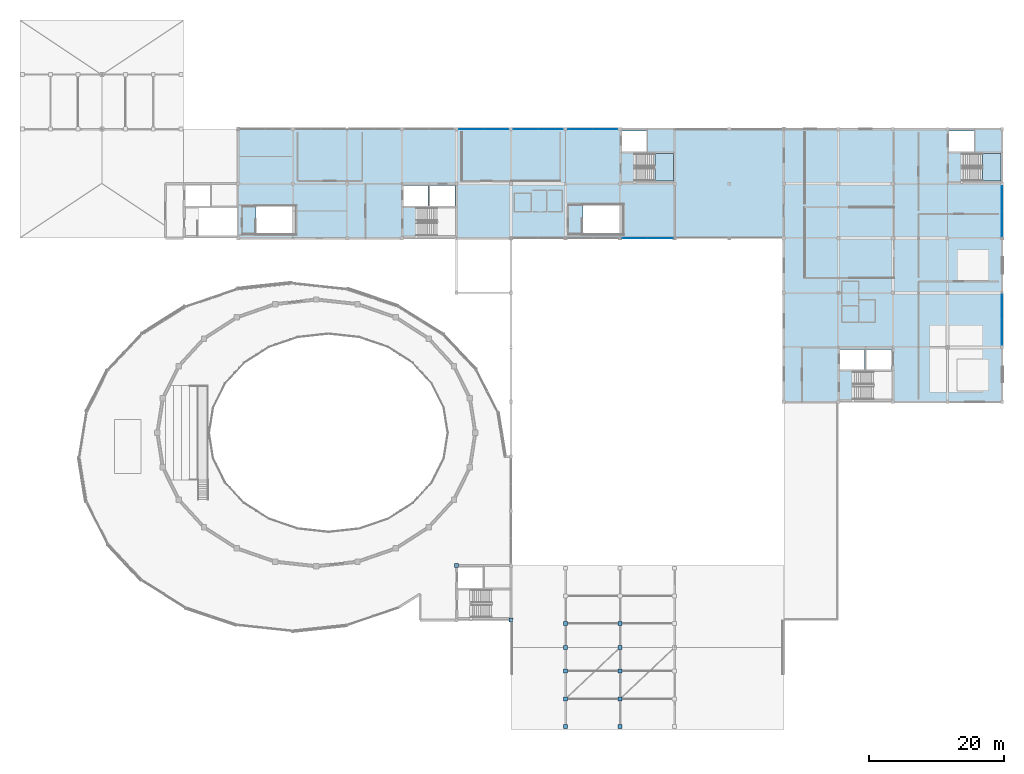
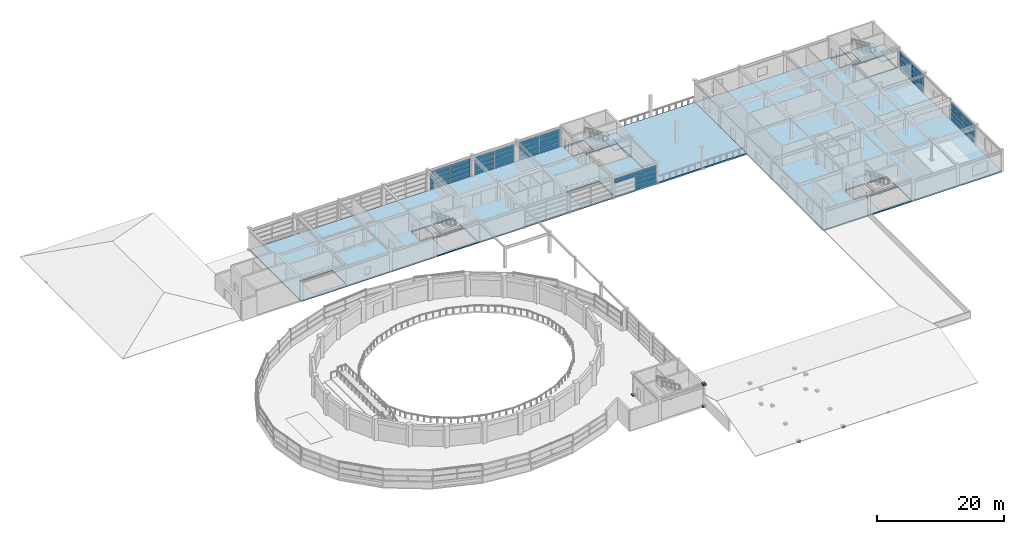
# One storey, part 38 of 54: 60 plates, 5 slabs, 8 elements without a shape of their own.
"""IFC4 building model written with IfcOpenShell, lengths in metres."""

from ifc_helpers import new_model, si_unit, direction, frame, origin, origin_2d, place, context, subcontext, project, spatial, polyline, rectangle, outline, extrude, material, layer, layer_set, type_object, element, aggregate, save


model = new_model("IFC4")

# Units and contexts
model_context = context("Model", 3, precision=1e-05, world=origin(), true_north=direction((0.0, 1.0)))
body_context = subcontext(model_context, "Body", "Model", "MODEL_VIEW")
ifc_project = project(units=[si_unit("LENGTHUNIT", "METRE"), si_unit("AREAUNIT", "SQUARE_METRE"), si_unit("VOLUMEUNIT", "CUBIC_METRE"), si_unit("PLANEANGLEUNIT", "RADIAN"), si_unit("MASSUNIT", "GRAM", prefix="KILO")], contexts=[model_context])

# Site, building, storey
site_placement = place(None, origin())
site = spatial("IfcSite", under=ifc_project, at=site_placement, CompositionType="ELEMENT")
building_placement = place(site_placement, origin())
building = spatial("IfcBuilding", under=site, at=building_placement, Name="Parian Resonance Hall", CompositionType="ELEMENT")
storey_placement = place(building_placement, frame((0.0, 0.0, 15.0)))
storey = spatial("IfcBuildingStorey", under=building, at=storey_placement, Name="L03", CompositionType="ELEMENT", Elevation=15.0)

# Curtain wall, plates
ifc_material_1 = material(Name="Bronze-anodised aluminium frame", Category="aluminium")
curtain_wall_type_1 = type_object("IfcCurtainWallType", Name="CW-SYS-05", PredefinedType="NOTDEFINED", material=ifc_material_1)
curtain_wall_1_placement = place(storey_placement, origin())
curtain_wall_1 = element("IfcCurtainWall", 1, at=curtain_wall_1_placement, inside=storey, type_object=curtain_wall_type_1, Name="Curtain wall CW-L03-093", PredefinedType="NOTDEFINED")
ifc_material_2 = material(Name="Acoustic laminated double glazing", Category="glass")
ifc_layer_1 = layer(ifc_material_2, 0.02197265625)
ifc_layer_set_1 = layer_set([ifc_layer_1], Name="Acoustic laminated double glazing")
plate_type_1 = type_object("IfcPlateType", Name="CWP-IGU22", PredefinedType="CURTAIN_PANEL", material=ifc_layer_set_1)
plate_1_placement = place(storey_placement, frame((67.00634765625, 89.10009765625, 0.05712890625), z_axis=(0.0, 0.0, 1.0), x_axis=(1.0, 0.0, 0.0)))
plate_1 = element("IfcPlate", 2, at=plate_1_placement, type_object=plate_type_1, Name="CW-05 panel 1.1", PredefinedType="CURTAIN_PANEL", context=body_context, shape_type="SweptSolid", body=[
    extrude(rectangle(XDim=3.62255859375, YDim=0.02197265625, at=origin_2d()), origin(), (0.0, 0.0, 1.0), 0.794677734375),
])
plate_2_placement = place(storey_placement, frame((67.00634765625, 89.10009765625, 0.916748046875), z_axis=(0.0, 0.0, 1.0), x_axis=(1.0, 0.0, 0.0)))
plate_2 = element("IfcPlate", 3, at=plate_2_placement, type_object=plate_type_1, Name="CW-05 panel 1.2", PredefinedType="CURTAIN_PANEL", context=body_context, shape_type="SweptSolid", body=[
    extrude(rectangle(XDim=3.62255859375, YDim=0.02197265625, at=origin_2d()), origin(), (0.0, 0.0, 1.0), 0.8193359375),
])
plate_3_placement = place(storey_placement, frame((67.00634765625, 89.10009765625, 1.80126953125), z_axis=(0.0, 0.0, 1.0), x_axis=(1.0, 0.0, 0.0)))
plate_3 = element("IfcPlate", 4, at=plate_3_placement, type_object=plate_type_1, Name="CW-05 panel 1.3", PredefinedType="CURTAIN_PANEL", context=body_context, shape_type="SweptSolid", body=[
    extrude(rectangle(XDim=3.62255859375, YDim=0.02197265625, at=origin_2d()), origin(), (0.0, 0.0, 1.0), 0.819091796875),
])
plate_4_placement = place(storey_placement, frame((67.00634765625, 89.10009765625, 2.68505859375), z_axis=(0.0, 0.0, 1.0), x_axis=(1.0, 0.0, 0.0)))
plate_4 = element("IfcPlate", 5, at=plate_4_placement, type_object=plate_type_1, Name="CW-05 panel 1.4", PredefinedType="CURTAIN_PANEL", context=body_context, shape_type="SweptSolid", body=[
    extrude(rectangle(XDim=3.62255859375, YDim=0.02197265625, at=origin_2d()), origin(), (0.0, 0.0, 1.0), 0.796875),
])
plate_5_placement = place(storey_placement, frame((70.69384765625, 89.10009765625, 0.05712890625), z_axis=(0.0, 0.0, 1.0), x_axis=(1.0, 0.0, 0.0)))
plate_5 = element("IfcPlate", 6, at=plate_5_placement, type_object=plate_type_1, Name="CW-05 panel 2.1", PredefinedType="CURTAIN_PANEL", context=body_context, shape_type="SweptSolid", body=[
    extrude(rectangle(XDim=3.62255859375, YDim=0.02197265625, at=origin_2d()), origin(), (0.0, 0.0, 1.0), 0.794677734375),
])
plate_6_placement = place(storey_placement, frame((70.69384765625, 89.10009765625, 0.916748046875), z_axis=(0.0, 0.0, 1.0), x_axis=(1.0, 0.0, 0.0)))
plate_6 = element("IfcPlate", 7, at=plate_6_placement, type_object=plate_type_1, Name="CW-05 panel 2.2", PredefinedType="CURTAIN_PANEL", context=body_context, shape_type="SweptSolid", body=[
    extrude(rectangle(XDim=3.62255859375, YDim=0.02197265625, at=origin_2d()), origin(), (0.0, 0.0, 1.0), 0.8193359375),
])
plate_7_placement = place(storey_placement, frame((70.69384765625, 89.10009765625, 1.80126953125), z_axis=(0.0, 0.0, 1.0), x_axis=(1.0, 0.0, 0.0)))
plate_7 = element("IfcPlate", 8, at=plate_7_placement, type_object=plate_type_1, Name="CW-05 panel 2.3", PredefinedType="CURTAIN_PANEL", context=body_context, shape_type="SweptSolid", body=[
    extrude(rectangle(XDim=3.62255859375, YDim=0.02197265625, at=origin_2d()), origin(), (0.0, 0.0, 1.0), 0.819091796875),
])
plate_8_placement = place(storey_placement, frame((70.69384765625, 89.10009765625, 2.68505859375), z_axis=(0.0, 0.0, 1.0), x_axis=(1.0, 0.0, 0.0)))
plate_8 = element("IfcPlate", 9, at=plate_8_placement, type_object=plate_type_1, Name="CW-05 panel 2.4", PredefinedType="CURTAIN_PANEL", context=body_context, shape_type="SweptSolid", body=[
    extrude(rectangle(XDim=3.62255859375, YDim=0.02197265625, at=origin_2d()), origin(), (0.0, 0.0, 1.0), 0.796875),
])
aggregate(curtain_wall_1, [plate_1, plate_2, plate_3, plate_4, plate_5, plate_6, plate_7, plate_8])

ifc_material_3 = material(Name="Bronze-anodised aluminium frame", Category="aluminium")
curtain_wall_type_2 = type_object("IfcCurtainWallType", Name="CW-SYS-06", PredefinedType="NOTDEFINED", material=ifc_material_3)
curtain_wall_2_placement = place(storey_placement, origin())
curtain_wall_2 = element("IfcCurtainWall", 10, at=curtain_wall_2_placement, inside=storey, type_object=curtain_wall_type_2, Name="Curtain wall CW-L03-096", PredefinedType="NOTDEFINED")
plate_9_placement = place(storey_placement, frame((75.108642578125, 89.10009765625, 0.067138671875), z_axis=(0.0, 0.0, 1.0), x_axis=(1.0, 0.0, 0.0)))
plate_9 = element("IfcPlate", 11, at=plate_9_placement, type_object=plate_type_1, Name="CW-06 panel 1.1", PredefinedType="CURTAIN_PANEL", context=body_context, shape_type="SweptSolid", body=[
    extrude(rectangle(XDim=3.607421875, YDim=0.02197265625, at=origin_2d()), origin(), (0.0, 0.0, 1.0), 0.7666015625),
])
plate_10_placement = place(storey_placement, frame((75.108642578125, 89.10009765625, 0.90869140625), z_axis=(0.0, 0.0, 1.0), x_axis=(1.0, 0.0, 0.0)))
plate_10 = element("IfcPlate", 12, at=plate_10_placement, type_object=plate_type_1, Name="CW-06 panel 1.2", PredefinedType="CURTAIN_PANEL", context=body_context, shape_type="SweptSolid", body=[
    extrude(rectangle(XDim=3.607421875, YDim=0.02197265625, at=origin_2d()), origin(), (0.0, 0.0, 1.0), 0.79638671875),
])
plate_11_placement = place(storey_placement, frame((75.108642578125, 89.10009765625, 1.77978515625), z_axis=(0.0, 0.0, 1.0), x_axis=(1.0, 0.0, 0.0)))
plate_11 = element("IfcPlate", 13, at=plate_11_placement, type_object=plate_type_1, Name="CW-06 panel 1.3", PredefinedType="CURTAIN_PANEL", context=body_context, shape_type="SweptSolid", body=[
    extrude(rectangle(XDim=3.607421875, YDim=0.02197265625, at=origin_2d()), origin(), (0.0, 0.0, 1.0), 0.796142578125),
])
plate_12_placement = place(storey_placement, frame((75.108642578125, 89.10009765625, 2.6513671875), z_axis=(0.0, 0.0, 1.0), x_axis=(1.0, 0.0, 0.0)))
plate_12 = element("IfcPlate", 14, at=plate_12_placement, type_object=plate_type_1, Name="CW-06 panel 1.4", PredefinedType="CURTAIN_PANEL", context=body_context, shape_type="SweptSolid", body=[
    extrude(rectangle(XDim=3.607421875, YDim=0.02197265625, at=origin_2d()), origin(), (0.0, 0.0, 1.0), 0.768798828125),
])
plate_13_placement = place(storey_placement, frame((78.791259765625, 89.10009765625, 0.067138671875), z_axis=(0.0, 0.0, 1.0), x_axis=(1.0, 0.0, 0.0)))
plate_13 = element("IfcPlate", 15, at=plate_13_placement, type_object=plate_type_1, Name="CW-06 panel 2.1", PredefinedType="CURTAIN_PANEL", context=body_context, shape_type="SweptSolid", body=[
    extrude(rectangle(XDim=3.607421875, YDim=0.02197265625, at=origin_2d()), origin(), (0.0, 0.0, 1.0), 0.7666015625),
])
plate_14_placement = place(storey_placement, frame((78.791259765625, 89.10009765625, 0.90869140625), z_axis=(0.0, 0.0, 1.0), x_axis=(1.0, 0.0, 0.0)))
plate_14 = element("IfcPlate", 16, at=plate_14_placement, type_object=plate_type_1, Name="CW-06 panel 2.2", PredefinedType="CURTAIN_PANEL", context=body_context, shape_type="SweptSolid", body=[
    extrude(rectangle(XDim=3.607421875, YDim=0.02197265625, at=origin_2d()), origin(), (0.0, 0.0, 1.0), 0.79638671875),
])
plate_15_placement = place(storey_placement, frame((78.791259765625, 89.10009765625, 1.77978515625), z_axis=(0.0, 0.0, 1.0), x_axis=(1.0, 0.0, 0.0)))
plate_15 = element("IfcPlate", 17, at=plate_15_placement, type_object=plate_type_1, Name="CW-06 panel 2.3", PredefinedType="CURTAIN_PANEL", context=body_context, shape_type="SweptSolid", body=[
    extrude(rectangle(XDim=3.607421875, YDim=0.02197265625, at=origin_2d()), origin(), (0.0, 0.0, 1.0), 0.796142578125),
])
plate_16_placement = place(storey_placement, frame((78.791259765625, 89.10009765625, 2.6513671875), z_axis=(0.0, 0.0, 1.0), x_axis=(1.0, 0.0, 0.0)))
plate_16 = element("IfcPlate", 18, at=plate_16_placement, type_object=plate_type_1, Name="CW-06 panel 2.4", PredefinedType="CURTAIN_PANEL", context=body_context, shape_type="SweptSolid", body=[
    extrude(rectangle(XDim=3.607421875, YDim=0.02197265625, at=origin_2d()), origin(), (0.0, 0.0, 1.0), 0.768798828125),
])
aggregate(curtain_wall_2, [plate_9, plate_10, plate_11, plate_12, plate_13, plate_14, plate_15, plate_16])

ifc_material_4 = material(Name="Bronze-anodised aluminium frame", Category="aluminium")
curtain_wall_type_3 = type_object("IfcCurtainWallType", Name="CW-SYS-02", PredefinedType="NOTDEFINED", material=ifc_material_4)
curtain_wall_3_placement = place(storey_placement, origin())
curtain_wall_3 = element("IfcCurtainWall", 19, at=curtain_wall_3_placement, inside=storey, type_object=curtain_wall_type_3, Name="Curtain wall CW-L03-120", PredefinedType="NOTDEFINED")
plate_17_placement = place(storey_placement, frame((95.0537109375, 72.89990234375, 0.067138671875), z_axis=(0.0, 0.0, 1.0), x_axis=(-1.0, 0.0, 0.0)))
plate_17 = element("IfcPlate", 20, at=plate_17_placement, type_object=plate_type_1, Name="CW-02 panel 1.1", PredefinedType="CURTAIN_PANEL", context=body_context, shape_type="SweptSolid", body=[
    extrude(rectangle(XDim=3.732421875, YDim=0.02197265625, at=origin_2d()), origin(), (0.0, 0.0, 1.0), 0.7666015625),
])
plate_18_placement = place(storey_placement, frame((95.0537109375, 72.89990234375, 0.90869140625), z_axis=(0.0, 0.0, 1.0), x_axis=(-1.0, 0.0, 0.0)))
plate_18 = element("IfcPlate", 21, at=plate_18_placement, type_object=plate_type_1, Name="CW-02 panel 1.2", PredefinedType="CURTAIN_PANEL", context=body_context, shape_type="SweptSolid", body=[
    extrude(rectangle(XDim=3.732421875, YDim=0.02197265625, at=origin_2d()), origin(), (0.0, 0.0, 1.0), 0.79638671875),
])
plate_19_placement = place(storey_placement, frame((95.0537109375, 72.89990234375, 1.77978515625), z_axis=(0.0, 0.0, 1.0), x_axis=(-1.0, 0.0, 0.0)))
plate_19 = element("IfcPlate", 22, at=plate_19_placement, type_object=plate_type_1, Name="CW-02 panel 1.3", PredefinedType="CURTAIN_PANEL", context=body_context, shape_type="SweptSolid", body=[
    extrude(rectangle(XDim=3.732421875, YDim=0.02197265625, at=origin_2d()), origin(), (0.0, 0.0, 1.0), 0.796142578125),
])
plate_20_placement = place(storey_placement, frame((95.0537109375, 72.89990234375, 2.6513671875), z_axis=(0.0, 0.0, 1.0), x_axis=(-1.0, 0.0, 0.0)))
plate_20 = element("IfcPlate", 23, at=plate_20_placement, type_object=plate_type_1, Name="CW-02 panel 1.4", PredefinedType="CURTAIN_PANEL", context=body_context, shape_type="SweptSolid", body=[
    extrude(rectangle(XDim=3.732421875, YDim=0.02197265625, at=origin_2d()), origin(), (0.0, 0.0, 1.0), 0.768798828125),
])
plate_21_placement = place(storey_placement, frame((91.246337890625, 72.89990234375, 2.6513671875), z_axis=(0.0, 0.0, 1.0), x_axis=(-1.0, 0.0, 0.0)))
plate_21 = element("IfcPlate", 24, at=plate_21_placement, type_object=plate_type_1, Name="CW-02 panel 2.4", PredefinedType="CURTAIN_PANEL", context=body_context, shape_type="SweptSolid", body=[
    extrude(rectangle(XDim=3.732421875, YDim=0.02197265625, at=origin_2d()), origin(), (0.0, 0.0, 1.0), 0.768798828125),
])
aggregate(curtain_wall_3, [plate_17, plate_18, plate_19, plate_20, plate_21])

ifc_material_5 = material(Name="Bronze-anodised aluminium frame", Category="aluminium")
curtain_wall_type_4 = type_object("IfcCurtainWallType", Name="CW-SYS-01", PredefinedType="NOTDEFINED", material=ifc_material_5)
curtain_wall_4_placement = place(storey_placement, origin())
curtain_wall_4 = element("IfcCurtainWall", 25, at=curtain_wall_4_placement, inside=storey, type_object=curtain_wall_type_4, Name="Curtain wall CW-L03-100", PredefinedType="NOTDEFINED")
ifc_material_6 = material(Name="Acoustic laminated double glazing", Category="glass")
ifc_layer_2 = layer(ifc_material_6, 0.031982421875)
ifc_layer_set_2 = layer_set([ifc_layer_2], Name="Acoustic laminated double glazing")
plate_type_2 = type_object("IfcPlateType", Name="CWP-IGU32", PredefinedType="CURTAIN_PANEL", material=ifc_layer_set_2)
plate_22_placement = place(storey_placement, frame((83.208740234375, 89.10009765625, 0.06689453125), z_axis=(0.0, 0.0, 1.0), x_axis=(1.0, 0.0, 0.0)))
plate_22 = element("IfcPlate", 26, at=plate_22_placement, type_object=plate_type_2, Name="CW-01 panel 1.1", PredefinedType="CURTAIN_PANEL", context=body_context, shape_type="SweptSolid", body=[
    extrude(rectangle(XDim=3.607421875, YDim=0.031982421875, at=origin_2d()), origin(), (0.0, 0.0, 1.0), 0.77978515625),
])
plate_23_placement = place(storey_placement, frame((83.208740234375, 89.10009765625, 0.921875), z_axis=(0.0, 0.0, 1.0), x_axis=(1.0, 0.0, 0.0)))
plate_23 = element("IfcPlate", 27, at=plate_23_placement, type_object=plate_type_2, Name="CW-01 panel 1.2", PredefinedType="CURTAIN_PANEL", context=body_context, shape_type="SweptSolid", body=[
    extrude(rectangle(XDim=3.607421875, YDim=0.031982421875, at=origin_2d()), origin(), (0.0, 0.0, 1.0), 0.809326171875),
])
plate_24_placement = place(storey_placement, frame((83.208740234375, 89.10009765625, 1.80615234375), z_axis=(0.0, 0.0, 1.0), x_axis=(1.0, 0.0, 0.0)))
plate_24 = element("IfcPlate", 28, at=plate_24_placement, type_object=plate_type_2, Name="CW-01 panel 1.3", PredefinedType="CURTAIN_PANEL", context=body_context, shape_type="SweptSolid", body=[
    extrude(rectangle(XDim=3.607421875, YDim=0.031982421875, at=origin_2d()), origin(), (0.0, 0.0, 1.0), 0.80908203125),
])
plate_25_placement = place(storey_placement, frame((83.208740234375, 89.10009765625, 2.690185546875), z_axis=(0.0, 0.0, 1.0), x_axis=(1.0, 0.0, 0.0)))
plate_25 = element("IfcPlate", 29, at=plate_25_placement, type_object=plate_type_2, Name="CW-01 panel 1.4", PredefinedType="CURTAIN_PANEL", context=body_context, shape_type="SweptSolid", body=[
    extrude(rectangle(XDim=3.607421875, YDim=0.031982421875, at=origin_2d()), origin(), (0.0, 0.0, 1.0), 0.78173828125),
])
plate_26_placement = place(storey_placement, frame((86.891357421875, 89.10009765625, 0.06689453125), z_axis=(0.0, 0.0, 1.0), x_axis=(1.0, 0.0, 0.0)))
plate_26 = element("IfcPlate", 30, at=plate_26_placement, type_object=plate_type_2, Name="CW-01 panel 2.1", PredefinedType="CURTAIN_PANEL", context=body_context, shape_type="SweptSolid", body=[
    extrude(rectangle(XDim=3.607421875, YDim=0.031982421875, at=origin_2d()), origin(), (0.0, 0.0, 1.0), 0.77978515625),
])
plate_27_placement = place(storey_placement, frame((86.891357421875, 89.10009765625, 0.921875), z_axis=(0.0, 0.0, 1.0), x_axis=(1.0, 0.0, 0.0)))
plate_27 = element("IfcPlate", 31, at=plate_27_placement, type_object=plate_type_2, Name="CW-01 panel 2.2", PredefinedType="CURTAIN_PANEL", context=body_context, shape_type="SweptSolid", body=[
    extrude(rectangle(XDim=3.607421875, YDim=0.031982421875, at=origin_2d()), origin(), (0.0, 0.0, 1.0), 0.809326171875),
])
plate_28_placement = place(storey_placement, frame((86.891357421875, 89.10009765625, 1.80615234375), z_axis=(0.0, 0.0, 1.0), x_axis=(1.0, 0.0, 0.0)))
plate_28 = element("IfcPlate", 32, at=plate_28_placement, type_object=plate_type_2, Name="CW-01 panel 2.3", PredefinedType="CURTAIN_PANEL", context=body_context, shape_type="SweptSolid", body=[
    extrude(rectangle(XDim=3.607421875, YDim=0.031982421875, at=origin_2d()), origin(), (0.0, 0.0, 1.0), 0.80908203125),
])
plate_29_placement = place(storey_placement, frame((86.891357421875, 89.10009765625, 2.690185546875), z_axis=(0.0, 0.0, 1.0), x_axis=(1.0, 0.0, 0.0)))
plate_29 = element("IfcPlate", 33, at=plate_29_placement, type_object=plate_type_2, Name="CW-01 panel 2.4", PredefinedType="CURTAIN_PANEL", context=body_context, shape_type="SweptSolid", body=[
    extrude(rectangle(XDim=3.607421875, YDim=0.031982421875, at=origin_2d()), origin(), (0.0, 0.0, 1.0), 0.78173828125),
])
aggregate(curtain_wall_4, [plate_22, plate_23, plate_24, plate_25, plate_26, plate_27, plate_28, plate_29])

curtain_wall_5_placement = place(storey_placement, origin())
curtain_wall_5 = element("IfcCurtainWall", 34, at=curtain_wall_5_placement, inside=storey, type_object=curtain_wall_type_3, Name="Curtain wall CW-L03-148", PredefinedType="NOTDEFINED")
plate_30_placement = place(storey_placement, frame((145.800048828125, 62.663330078125, 0.06689453125), z_axis=(0.0, 0.0, 1.0), x_axis=(0.0, -1.0, 0.0)))
plate_30 = element("IfcPlate", 35, at=plate_30_placement, type_object=plate_type_2, Name="CW-02 panel 1.1", PredefinedType="CURTAIN_PANEL", context=body_context, shape_type="SweptSolid", body=[
    extrude(rectangle(XDim=3.655517578125, YDim=0.031982421875, at=origin_2d()), origin(), (0.0, 0.0, 1.0), 0.792236328125),
])
plate_31_placement = place(storey_placement, frame((145.800048828125, 62.663330078125, 0.934326171875), z_axis=(0.0, 0.0, 1.0), x_axis=(0.0, -1.0, 0.0)))
plate_31 = element("IfcPlate", 36, at=plate_31_placement, type_object=plate_type_2, Name="CW-02 panel 1.2", PredefinedType="CURTAIN_PANEL", context=body_context, shape_type="SweptSolid", body=[
    extrude(rectangle(XDim=3.655517578125, YDim=0.031982421875, at=origin_2d()), origin(), (0.0, 0.0, 1.0), 0.82177734375),
])
plate_32_placement = place(storey_placement, frame((145.800048828125, 62.663330078125, 1.8310546875), z_axis=(0.0, 0.0, 1.0), x_axis=(0.0, -1.0, 0.0)))
plate_32 = element("IfcPlate", 37, at=plate_32_placement, type_object=plate_type_2, Name="CW-02 panel 1.3", PredefinedType="CURTAIN_PANEL", context=body_context, shape_type="SweptSolid", body=[
    extrude(rectangle(XDim=3.655517578125, YDim=0.031982421875, at=origin_2d()), origin(), (0.0, 0.0, 1.0), 0.82177734375),
])
plate_33_placement = place(storey_placement, frame((145.800048828125, 62.663330078125, 2.7275390625), z_axis=(0.0, 0.0, 1.0), x_axis=(0.0, -1.0, 0.0)))
plate_33 = element("IfcPlate", 38, at=plate_33_placement, type_object=plate_type_2, Name="CW-02 panel 1.4", PredefinedType="CURTAIN_PANEL", context=body_context, shape_type="SweptSolid", body=[
    extrude(rectangle(XDim=3.655517578125, YDim=0.031982421875, at=origin_2d()), origin(), (0.0, 0.0, 1.0), 0.794189453125),
])
plate_34_placement = place(storey_placement, frame((145.800048828125, 58.932861328125, 0.06689453125), z_axis=(0.0, 0.0, 1.0), x_axis=(0.0, -1.0, 0.0)))
plate_34 = element("IfcPlate", 39, at=plate_34_placement, type_object=plate_type_2, Name="CW-02 panel 2.1", PredefinedType="CURTAIN_PANEL", context=body_context, shape_type="SweptSolid", body=[
    extrude(rectangle(XDim=3.655517578125, YDim=0.031982421875, at=origin_2d()), origin(), (0.0, 0.0, 1.0), 0.792236328125),
])
plate_35_placement = place(storey_placement, frame((145.800048828125, 58.932861328125, 0.934326171875), z_axis=(0.0, 0.0, 1.0), x_axis=(0.0, -1.0, 0.0)))
plate_35 = element("IfcPlate", 40, at=plate_35_placement, type_object=plate_type_2, Name="CW-02 panel 2.2", PredefinedType="CURTAIN_PANEL", context=body_context, shape_type="SweptSolid", body=[
    extrude(rectangle(XDim=3.655517578125, YDim=0.031982421875, at=origin_2d()), origin(), (0.0, 0.0, 1.0), 0.82177734375),
])
plate_36_placement = place(storey_placement, frame((145.800048828125, 58.932861328125, 1.8310546875), z_axis=(0.0, 0.0, 1.0), x_axis=(0.0, -1.0, 0.0)))
plate_36 = element("IfcPlate", 41, at=plate_36_placement, type_object=plate_type_2, Name="CW-02 panel 2.3", PredefinedType="CURTAIN_PANEL", context=body_context, shape_type="SweptSolid", body=[
    extrude(rectangle(XDim=3.655517578125, YDim=0.031982421875, at=origin_2d()), origin(), (0.0, 0.0, 1.0), 0.82177734375),
])
plate_37_placement = place(storey_placement, frame((145.800048828125, 58.932861328125, 2.7275390625), z_axis=(0.0, 0.0, 1.0), x_axis=(0.0, -1.0, 0.0)))
plate_37 = element("IfcPlate", 42, at=plate_37_placement, type_object=plate_type_2, Name="CW-02 panel 2.4", PredefinedType="CURTAIN_PANEL", context=body_context, shape_type="SweptSolid", body=[
    extrude(rectangle(XDim=3.655517578125, YDim=0.031982421875, at=origin_2d()), origin(), (0.0, 0.0, 1.0), 0.794189453125),
])
aggregate(curtain_wall_5, [plate_30, plate_31, plate_32, plate_33, plate_34, plate_35, plate_36, plate_37])

ifc_material_7 = material(Name="Bronze-anodised aluminium frame", Category="aluminium")
curtain_wall_type_5 = type_object("IfcCurtainWallType", Name="CW-SYS-04", PredefinedType="NOTDEFINED", material=ifc_material_7)
curtain_wall_6_placement = place(storey_placement, origin())
curtain_wall_6 = element("IfcCurtainWall", 43, at=curtain_wall_6_placement, inside=storey, type_object=curtain_wall_type_5, Name="Curtain wall CW-L03-149", PredefinedType="NOTDEFINED")
ifc_material_8 = material(Name="Acoustic laminated double glazing", Category="glass")
ifc_layer_3 = layer(ifc_material_8, 0.0419921875)
ifc_layer_set_3 = layer_set([ifc_layer_3], Name="Acoustic laminated double glazing")
plate_type_3 = type_object("IfcPlateType", Name="CWP-IGU42", PredefinedType="CURTAIN_PANEL", material=ifc_layer_set_3)
plate_38_placement = place(storey_placement, frame((145.800048828125, 78.762451171875, 0.05712890625), z_axis=(0.0, 0.0, 1.0), x_axis=(0.0, -1.0, 0.0)))
plate_38 = element("IfcPlate", 44, at=plate_38_placement, type_object=plate_type_3, Name="CW-04 panel 1.1", PredefinedType="CURTAIN_PANEL", context=body_context, shape_type="SweptSolid", body=[
    extrude(rectangle(XDim=3.68505859375, YDim=0.0419921875, at=origin_2d()), origin(), (0.0, 0.0, 1.0), 0.807373046875),
])
plate_39_placement = place(storey_placement, frame((145.800048828125, 78.762451171875, 0.92919921875), z_axis=(0.0, 0.0, 1.0), x_axis=(0.0, -1.0, 0.0)))
plate_39 = element("IfcPlate", 45, at=plate_39_placement, type_object=plate_type_3, Name="CW-04 panel 1.2", PredefinedType="CURTAIN_PANEL", context=body_context, shape_type="SweptSolid", body=[
    extrude(rectangle(XDim=3.68505859375, YDim=0.0419921875, at=origin_2d()), origin(), (0.0, 0.0, 1.0), 0.831787109375),
])
plate_40_placement = place(storey_placement, frame((145.800048828125, 78.762451171875, 1.826171875), z_axis=(0.0, 0.0, 1.0), x_axis=(0.0, -1.0, 0.0)))
plate_40 = element("IfcPlate", 46, at=plate_40_placement, type_object=plate_type_3, Name="CW-04 panel 1.3", PredefinedType="CURTAIN_PANEL", context=body_context, shape_type="SweptSolid", body=[
    extrude(rectangle(XDim=3.68505859375, YDim=0.0419921875, at=origin_2d()), origin(), (0.0, 0.0, 1.0), 0.831787109375),
])
plate_41_placement = place(storey_placement, frame((145.800048828125, 78.762451171875, 2.72265625), z_axis=(0.0, 0.0, 1.0), x_axis=(0.0, -1.0, 0.0)))
plate_41 = element("IfcPlate", 47, at=plate_41_placement, type_object=plate_type_3, Name="CW-04 panel 1.4", PredefinedType="CURTAIN_PANEL", context=body_context, shape_type="SweptSolid", body=[
    extrude(rectangle(XDim=3.68505859375, YDim=0.0419921875, at=origin_2d()), origin(), (0.0, 0.0, 1.0), 0.809326171875),
])
plate_42_placement = place(storey_placement, frame((145.800048828125, 75.012451171875, 0.05712890625), z_axis=(0.0, 0.0, 1.0), x_axis=(0.0, -1.0, 0.0)))
plate_42 = element("IfcPlate", 48, at=plate_42_placement, type_object=plate_type_3, Name="CW-04 panel 2.1", PredefinedType="CURTAIN_PANEL", context=body_context, shape_type="SweptSolid", body=[
    extrude(rectangle(XDim=3.68505859375, YDim=0.0419921875, at=origin_2d()), origin(), (0.0, 0.0, 1.0), 0.807373046875),
])
plate_43_placement = place(storey_placement, frame((145.800048828125, 75.012451171875, 0.92919921875), z_axis=(0.0, 0.0, 1.0), x_axis=(0.0, -1.0, 0.0)))
plate_43 = element("IfcPlate", 49, at=plate_43_placement, type_object=plate_type_3, Name="CW-04 panel 2.2", PredefinedType="CURTAIN_PANEL", context=body_context, shape_type="SweptSolid", body=[
    extrude(rectangle(XDim=3.68505859375, YDim=0.0419921875, at=origin_2d()), origin(), (0.0, 0.0, 1.0), 0.831787109375),
])
plate_44_placement = place(storey_placement, frame((145.800048828125, 75.012451171875, 1.826171875), z_axis=(0.0, 0.0, 1.0), x_axis=(0.0, -1.0, 0.0)))
plate_44 = element("IfcPlate", 50, at=plate_44_placement, type_object=plate_type_3, Name="CW-04 panel 2.3", PredefinedType="CURTAIN_PANEL", context=body_context, shape_type="SweptSolid", body=[
    extrude(rectangle(XDim=3.68505859375, YDim=0.0419921875, at=origin_2d()), origin(), (0.0, 0.0, 1.0), 0.831787109375),
])
plate_45_placement = place(storey_placement, frame((145.800048828125, 75.012451171875, 2.72265625), z_axis=(0.0, 0.0, 1.0), x_axis=(0.0, -1.0, 0.0)))
plate_45 = element("IfcPlate", 51, at=plate_45_placement, type_object=plate_type_3, Name="CW-04 panel 2.4", PredefinedType="CURTAIN_PANEL", context=body_context, shape_type="SweptSolid", body=[
    extrude(rectangle(XDim=3.68505859375, YDim=0.0419921875, at=origin_2d()), origin(), (0.0, 0.0, 1.0), 0.809326171875),
])
aggregate(curtain_wall_6, [plate_38, plate_39, plate_40, plate_41, plate_42, plate_43, plate_44, plate_45])

# Plates
ifc_material_9 = material(Name="Steel S355", Category="steel")
ifc_layer_4 = layer(ifc_material_9, 0.340087890625)
ifc_layer_set_4 = layer_set([ifc_layer_4], Name="Steel S355")
plate_type_4 = type_object("IfcPlateType", Name="PLT-CAP-500", PredefinedType="SHEET", material=ifc_layer_set_4)
for number, where, z_axis, x_axis, name in (
    (52, (64.800048828125, 24.300048828125, -0.169921875), (0.0, 0.0, 1.0), (1.0, 0.0, 0.0), "Steel hollow-section node closure block 0271"),
    (53, (72.89990234375, 16.199951171875, -0.169921875), (0.0, 0.0, 1.0), (1.0, 0.0, 0.0), "Steel hollow-section node closure block 0280"),
    (54, (81.0, 4.512939453125, 0.65771484375), (0.0, 0.0, 1.0), (1.0, 0.0, 0.0), "Steel hollow-section node closure block 0288"),
    (55, (81.0, 8.625, 1.65478515625), (0.0, 0.0, 1.0), (1.0, 0.0, 0.0), "Steel hollow-section node closure block 0289"),
    (56, (81.0, 12.14990234375, 2.68017578125), (0.0, 0.0, 1.0), (1.0, 0.0, 0.0), "Steel hollow-section node closure block 0291"),
    (57, (81.0, 15.675048828125, 1.65478515625), (0.0, 0.0, 1.0), (1.0, 0.0, 0.0), "Steel hollow-section node closure block 0292"),
    (58, (89.10009765625, 4.512939453125, 0.65771484375), (0.0, 0.0, 1.0), (1.0, 0.0, 0.0), "Steel hollow-section node closure block 0300"),
    (59, (89.10009765625, 8.625, 1.65478515625), (0.0, 0.0, 1.0), (1.0, 0.0, 0.0), "Steel hollow-section node closure block 0301"),
    (60, (89.10009765625, 12.14990234375, 2.68017578125), (0.0, 0.0, 1.0), (1.0, 0.0, 0.0), "Steel hollow-section node closure block 0303"),
    (61, (89.10009765625, 15.675048828125, 1.65478515625), (0.0, 0.0, 1.0), (1.0, 0.0, 0.0), "Steel hollow-section node closure block 0304"),
):
    element("IfcPlate", number, at=place(storey_placement, frame(where, z_axis=z_axis, x_axis=x_axis)), inside=storey, type_object=plate_type_4, Name=name, PredefinedType="SHEET", context=body_context, shape_type="SweptSolid", body=[
        extrude(rectangle(XDim=0.580078125, YDim=0.580078125, at=origin_2d()), origin(), (0.0, 0.0, 1.0), 0.340087890625),
    ])
ifc_material_10 = material(Name="Steel S355", Category="steel")
ifc_layer_5 = layer(ifc_material_10, 0.360107421875)
ifc_layer_set_5 = layer_set([ifc_layer_5], Name="Steel S355")
plate_type_5 = type_object("IfcPlateType", Name="PLT-GUS-520", PredefinedType="USERDEFINED", material=ifc_layer_set_5)
for number, where, z_axis, x_axis, name in (
    (62, (72.89990234375, 16.199951171875, 4.02001953125), (0.0, 0.0, 1.0), (1.0, 0.0, 0.0), "Steel hollow-section node closure block 0281"),
    (63, (81.0, 0.39990234375, -0.18017578125), (0.0, 0.0, 1.0), (1.0, 0.0, 0.0), "Steel hollow-section node closure block 0287"),
    (64, (81.0, 12.14990234375, -0.18017578125), (0.0, 0.0, 1.0), (1.0, 0.0, 0.0), "Steel hollow-section node closure block 0290"),
    (65, (89.10009765625, 0.39990234375, -0.18017578125), (0.0, 0.0, 1.0), (1.0, 0.0, 0.0), "Steel hollow-section node closure block 0299"),
    (66, (89.10009765625, 12.14990234375, -0.18017578125), (0.0, 0.0, 1.0), (1.0, 0.0, 0.0), "Steel hollow-section node closure block 0302"),
):
    element("IfcPlate", number, at=place(storey_placement, frame(where, z_axis=z_axis, x_axis=x_axis)), inside=storey, type_object=plate_type_5, Name=name, ObjectType="GUSSET PLATE", PredefinedType="USERDEFINED", context=body_context, shape_type="SweptSolid", body=[
        extrude(rectangle(XDim=0.580078125, YDim=0.580078125, at=origin_2d()), origin(), (0.0, 0.0, 1.0), 0.360107421875),
    ])

# Slabs
ifc_material_11 = material(Name="Concrete C35/45", Category="concrete")
ifc_layer_6 = layer(ifc_material_11, 0.239990234375)
ifc_layer_set_6 = layer_set([ifc_layer_6], Name="Concrete C35/45")
slab_type_1 = type_object("IfcSlabType", Name="SLB-FLR-240", PredefinedType="FLOOR", material=ifc_layer_set_6)
slab_1_placement = place(storey_placement, frame((0.0, 0.0, -0.239990234375)))
element("IfcSlab", 67, at=slab_1_placement, inside=storey, type_object=slab_type_1, Name="Cloister L03 upper foyer slab", PredefinedType="FLOOR", context=body_context, shape_type="SweptSolid", body=[
    extrude(outline(polyline([(32.39990234375, 72.89990234375), (97.199951171875, 72.89990234375), (97.199951171875, 89.10009765625), (32.39990234375, 89.10009765625), (32.39990234375, 72.89990234375)]), holes=[polyline([(64.659912109375, 77.39990234375), (64.659912109375, 73.300048828125), (58.89501953125, 73.300048828125), (58.89501953125, 77.39990234375), (64.659912109375, 77.39990234375)]), polyline([(40.889892578125, 73.5), (35.06494140625, 73.5), (35.06494140625, 77.679931640625), (40.889892578125, 77.679931640625), (40.889892578125, 73.5)]), polyline([(89.489990234375, 73.5), (83.56494140625, 73.5), (83.56494140625, 77.8798828125), (89.489990234375, 77.8798828125), (89.489990234375, 73.5)]), polyline([(60.60009765625, 77.64990234375), (56.93994140625, 77.64990234375), (56.93994140625, 80.699951171875), (60.60009765625, 80.699951171875), (60.60009765625, 77.64990234375)]), polyline([(64.56005859375, 77.64990234375), (60.89990234375, 77.64990234375), (60.89990234375, 80.699951171875), (64.56005859375, 80.699951171875), (64.56005859375, 77.64990234375)]), polyline([(97.02001953125, 81.39990234375), (91.27490234375, 81.39990234375), (91.27490234375, 85.4599609375), (97.02001953125, 85.4599609375), (97.02001953125, 81.39990234375)]), polyline([(93.0, 85.75), (89.340087890625, 85.75), (89.340087890625, 88.800048828125), (93.0, 88.800048828125), (93.0, 85.75)])]), origin(), (0.0, 0.0, 1.0), 0.239990234375),
])
ifc_material_12 = material(Name="Concrete C35/45", Category="concrete")
ifc_layer_7 = layer(ifc_material_12, 0.25)
ifc_layer_set_7 = layer_set([ifc_layer_7], Name="Concrete C35/45")
slab_type_2 = type_object("IfcSlabType", Name="SLB-FLR-250", PredefinedType="FLOOR", material=ifc_layer_set_7)
slab_2_placement = place(storey_placement, frame((0.0, 0.0, -0.25)))
element("IfcSlab", 68, at=slab_2_placement, inside=storey, type_object=slab_type_2, Name="Choir rehearsal and practice studios L03 slab", PredefinedType="FLOOR", context=body_context, shape_type="SweptSolid", body=[
    extrude(outline(polyline([(113.39990234375, 48.60009765625), (145.800048828125, 48.60009765625), (145.800048828125, 89.10009765625), (113.39990234375, 89.10009765625), (113.39990234375, 48.60009765625)]), holes=[polyline([(129.4599609375, 53.10009765625), (129.4599609375, 49.0), (123.695068359375, 49.0), (123.695068359375, 53.10009765625), (129.4599609375, 53.10009765625)]), polyline([(125.39990234375, 56.39990234375), (125.39990234375, 53.35009765625), (121.739990234375, 53.35009765625), (121.739990234375, 56.39990234375), (125.39990234375, 56.39990234375)]), polyline([(129.360107421875, 56.39990234375), (129.360107421875, 53.35009765625), (125.699951171875, 53.35009765625), (125.699951171875, 56.39990234375), (129.360107421875, 56.39990234375)]), polyline([(145.6201171875, 81.39990234375), (139.875, 81.39990234375), (139.875, 85.4599609375), (145.6201171875, 85.4599609375), (145.6201171875, 81.39990234375)]), polyline([(141.60009765625, 85.75), (137.93994140625, 85.75), (137.93994140625, 88.800048828125), (141.60009765625, 88.800048828125), (141.60009765625, 85.75)])]), origin(), (0.0, 0.0, 1.0), 0.25),
])

# Stair, slab
ifc_material_13 = material(Name="Concrete C40/50", Category="concrete")
stair_type = type_object("IfcStairType", Name="STAIR-CORE-1800", PredefinedType="HALF_TURN_STAIR", material=ifc_material_13)
stair_1_placement = place(storey_placement, origin())
stair_1 = element("IfcStair", 69, at=stair_1_placement, inside=storey, type_object=stair_type, Name="L03 ST-05", PredefinedType="HALF_TURN_STAIR")
ifc_material_14 = material(Name="Concrete C40/50", Category="concrete")
ifc_layer_8 = layer(ifc_material_14, 0.199951171875)
ifc_layer_set_8 = layer_set([ifc_layer_8], Name="Concrete C40/50")
slab_type_3 = type_object("IfcSlabType", Name="SLB-LANDING-200", PredefinedType="LANDING", material=ifc_layer_set_8)
slab_3_placement = place(storey_placement, frame((0.0, 0.0, 1.89990234375)))
slab_3 = element("IfcSlab", 70, at=slab_3_placement, type_object=slab_type_3, Name="ST-05 landing 1", PredefinedType="LANDING", context=body_context, shape_type="SweptSolid", body=[
    extrude(outline(polyline([(94.300048828125, 81.39990234375), (97.02001953125, 81.39990234375), (97.02001953125, 85.4599609375), (94.300048828125, 85.4599609375), (94.300048828125, 81.39990234375)])), origin(), (0.0, 0.0, 1.0), 0.2001953125),
])
aggregate(stair_1, [slab_3])

stair_2_placement = place(storey_placement, origin())
stair_2 = element("IfcStair", 71, at=stair_2_placement, inside=storey, type_object=stair_type, Name="L03 ST-06", PredefinedType="HALF_TURN_STAIR")
slab_4_placement = place(storey_placement, frame((0.0, 0.0, 1.89990234375)))
slab_4 = element("IfcSlab", 72, at=slab_4_placement, type_object=slab_type_3, Name="ST-06 landing 1", PredefinedType="LANDING", context=body_context, shape_type="SweptSolid", body=[
    extrude(outline(polyline([(142.89990234375, 81.39990234375), (145.6201171875, 81.39990234375), (145.6201171875, 85.4599609375), (142.89990234375, 85.4599609375), (142.89990234375, 81.39990234375)])), origin(), (0.0, 0.0, 1.0), 0.2001953125),
])
aggregate(stair_2, [slab_4])

# Slab
ifc_material_15 = material(Name="Concrete C35/45", Category="concrete")
ifc_layer_9 = layer(ifc_material_15, 0.2900390625)
ifc_layer_set_9 = layer_set([ifc_layer_9], Name="Concrete C35/45")
slab_type_4 = type_object("IfcSlabType", Name="SLB-TER-290", PredefinedType="FLOOR", material=ifc_layer_set_9)
slab_5_placement = place(storey_placement, frame((0.0, 0.0, -0.2900390625)))
element("IfcSlab", 73, at=slab_5_placement, inside=storey, type_object=slab_type_4, Name="Courtyard Roof Terrace slab", PredefinedType="FLOOR", context=body_context, shape_type="SweptSolid", body=[
    extrude(outline(polyline([(97.199951171875, 72.89990234375), (113.39990234375, 72.89990234375), (113.39990234375, 89.10009765625), (97.199951171875, 89.10009765625), (97.199951171875, 72.89990234375)])), origin(), (0.0, 0.0, 1.0), 0.2900390625),
])

save(model, "model.ifc")
